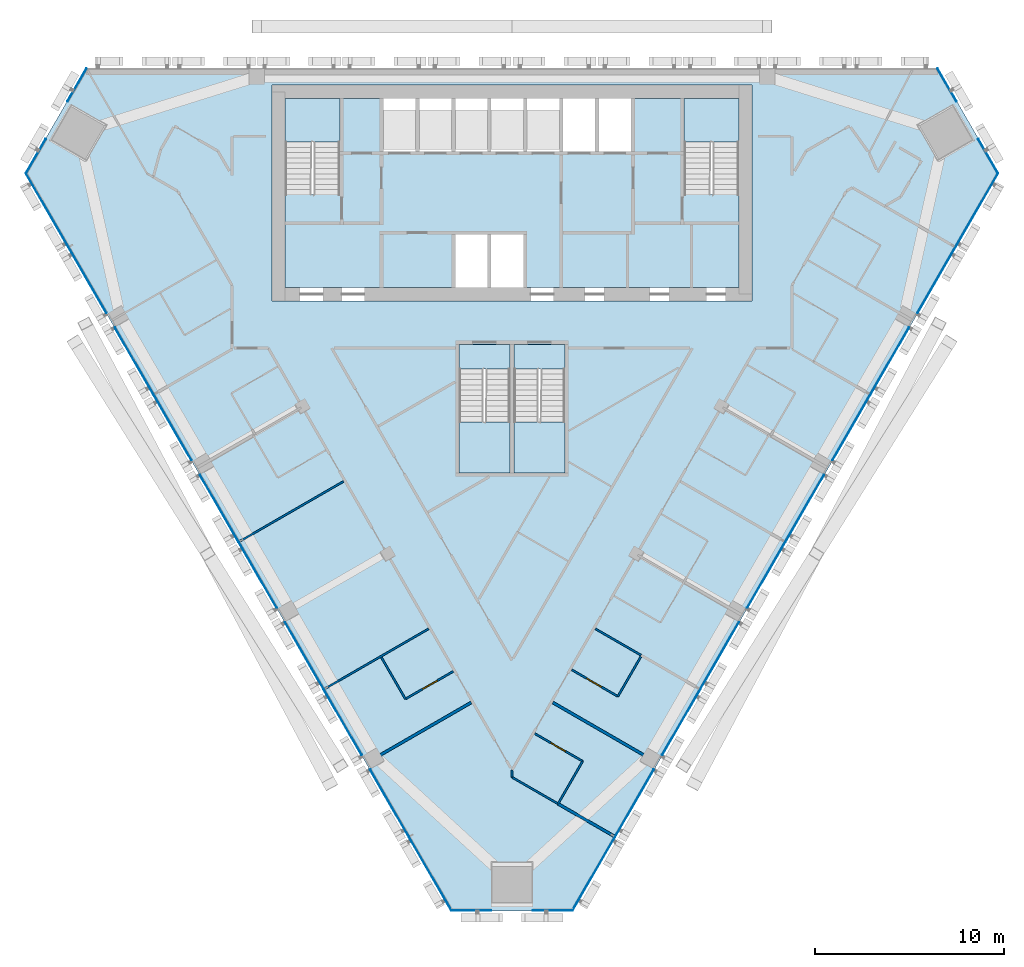
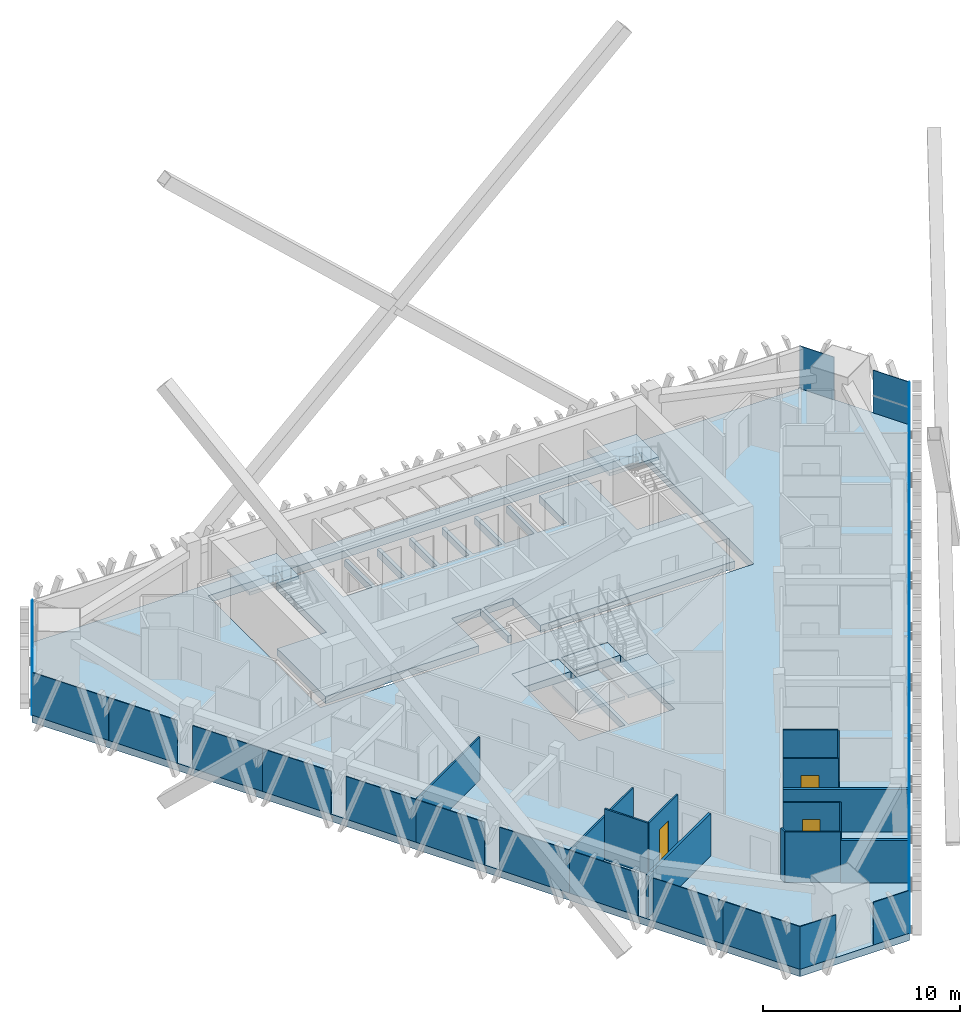
# One storey, part 9 of 17: 26 plates, 14 walls, 8 slabs, 3 doors, 3 openings, 9 elements without a shape of their own.
"""IFC4 building model written with IfcOpenShell, lengths in metres."""

from ifc_helpers import new_model, si_unit, direction, frame, frame_2d, origin, origin_2d, place, context, subcontext, project, spatial, polyline, rectangle, outline, extrude, material, layer, layer_set, type_object, element, fill, aggregate, save


model = new_model("IFC4")

# Units and contexts
model_context = context("Model", 3, precision=1e-05, world=origin(), true_north=direction((0.0, 1.0)))
body_context = subcontext(model_context, "Body", "Model", "MODEL_VIEW")
ifc_project = project(units=[si_unit("LENGTHUNIT", "METRE"), si_unit("AREAUNIT", "SQUARE_METRE"), si_unit("VOLUMEUNIT", "CUBIC_METRE"), si_unit("PLANEANGLEUNIT", "RADIAN"), si_unit("MASSUNIT", "GRAM", prefix="KILO")], contexts=[model_context])

# Site, building, storey
site_placement = place(None, origin())
site = spatial("IfcSite", under=ifc_project, at=site_placement, CompositionType="ELEMENT")
building_placement = place(site_placement, origin())
building = spatial("IfcBuilding", under=site, at=building_placement, Name="Altiplano Prism Tower", CompositionType="ELEMENT")
storey_placement = place(building_placement, frame((0.0, 0.0, 194.39990234375)))
storey = spatial("IfcBuildingStorey", under=building, at=storey_placement, Name="L50", CompositionType="ELEMENT", Elevation=194.39990234375)

# Curtain wall, plates
ifc_material_1 = material(Name="Aluminium and glass", Category="aluminium")
ifc_layer_1 = layer(ifc_material_1, 0.280029296875)
ifc_layer_set_1 = layer_set([ifc_layer_1], Name="Aluminium and glass")
curtain_wall_type = type_object("IfcCurtainWallType", Name="CW1 typical co-living unitised curtain wall", PredefinedType="NOTDEFINED", material=ifc_layer_set_1)
curtain_wall_1_placement = place(storey_placement, origin())
curtain_wall_1 = element("IfcCurtainWall", 1, at=curtain_wall_1_placement, inside=storey, type_object=curtain_wall_type, Name="CW1 curtain wall north-west chamfer L50", PredefinedType="NOTDEFINED")
ifc_material_2 = material(Name="Clear glass", Category="glass")
ifc_layer_2 = layer(ifc_material_2, 0.0400390625)
ifc_layer_set_2 = layer_set([ifc_layer_2], Name="Clear glass")
plate_type = type_object("IfcPlateType", Name="CW1 insulated glass unit 40", PredefinedType="CURTAIN_PANEL", material=ifc_layer_set_2)
plate_1_placement = place(storey_placement, frame((61.99658203125, 104.11083984375, 0.000244140625), z_axis=(0.0, 0.0, 1.0), x_axis=(-0.499999922777, -0.866025448369, 0.0)))
plate_1 = element("IfcPlate", 2, at=plate_1_placement, type_object=plate_type, Name="CW1 panel", PredefinedType="CURTAIN_PANEL", context=body_context, shape_type="SweptSolid", body=[
    extrude(rectangle(XDim=2.0205078125, YDim=0.0400390625, at=origin_2d()), origin(), (0.0, 0.0, 1.0), 2.64990234375),
])
plate_2_placement = place(storey_placement, frame((59.8212890625, 100.34326171875, 0.000244140625), z_axis=(0.0, 0.0, 1.0), x_axis=(-0.499999922777, -0.866025448369, 0.0)))
plate_2 = element("IfcPlate", 3, at=plate_2_placement, type_object=plate_type, Name="CW1 panel", PredefinedType="CURTAIN_PANEL", context=body_context, shape_type="SweptSolid", body=[
    extrude(rectangle(XDim=2.1005859375, YDim=0.0400390625, at=origin_2d()), origin(), (0.0, 0.0, 1.0), 2.64990234375),
])
aggregate(curtain_wall_1, [plate_1, plate_2])

curtain_wall_2_placement = place(storey_placement, origin())
curtain_wall_2 = element("IfcCurtainWall", 4, at=curtain_wall_2_placement, inside=storey, type_object=curtain_wall_type, Name="CW1 curtain wall south-west face L50", PredefinedType="NOTDEFINED")
plate_3_placement = place(storey_placement, frame((60.422119140625, 97.4951171875, 0.000244140625), z_axis=(0.0, 0.0, 1.0), x_axis=(0.499999988981, -0.866025410146, 0.0)))
plate_3 = element("IfcPlate", 5, at=plate_3_placement, type_object=plate_type, Name="CW1 panel", PredefinedType="CURTAIN_PANEL", context=body_context, shape_type="SweptSolid", body=[
    extrude(rectangle(XDim=4.503173828125, YDim=0.0400390625, at=origin_2d()), origin(), (0.0, 0.0, 1.0), 2.64990234375),
])
plate_4_placement = place(storey_placement, frame((62.555419921875, 93.800048828125, 0.000244140625), z_axis=(0.0, 0.0, 1.0), x_axis=(0.499999988981, -0.866025410146, 0.0)))
plate_4 = element("IfcPlate", 6, at=plate_4_placement, type_object=plate_type, Name="CW1 panel", PredefinedType="CURTAIN_PANEL", context=body_context, shape_type="SweptSolid", body=[
    extrude(rectangle(XDim=4.010498046875, YDim=0.0400390625, at=origin_2d()), origin(), (0.0, 0.0, 1.0), 2.64990234375),
])
plate_5_placement = place(storey_placement, frame((65.025390625, 89.52197265625, 0.000244140625), z_axis=(0.0, 0.0, 1.0), x_axis=(0.499999988981, -0.866025410146, 0.0)))
plate_5 = element("IfcPlate", 7, at=plate_5_placement, type_object=plate_type, Name="CW1 panel", PredefinedType="CURTAIN_PANEL", context=body_context, shape_type="SweptSolid", body=[
    extrude(rectangle(XDim=4.08984375, YDim=0.0400390625, at=origin_2d()), origin(), (0.0, 0.0, 1.0), 2.64990234375),
])
plate_6_placement = place(storey_placement, frame((67.055419921875, 86.005615234375, 0.000244140625), z_axis=(0.0, 0.0, 1.0), x_axis=(0.499999988981, -0.866025410146, 0.0)))
plate_6 = element("IfcPlate", 8, at=plate_6_placement, type_object=plate_type, Name="CW1 panel", PredefinedType="CURTAIN_PANEL", context=body_context, shape_type="SweptSolid", body=[
    extrude(rectangle(XDim=4.010498046875, YDim=0.0400390625, at=origin_2d()), origin(), (0.0, 0.0, 1.0), 2.64990234375),
])
plate_7_placement = place(storey_placement, frame((69.525390625, 81.727783203125, 0.000244140625), z_axis=(0.0, 0.0, 1.0), x_axis=(0.499999988981, -0.866025410146, 0.0)))
plate_7 = element("IfcPlate", 9, at=plate_7_placement, type_object=plate_type, Name="CW1 panel", PredefinedType="CURTAIN_PANEL", context=body_context, shape_type="SweptSolid", body=[
    extrude(rectangle(XDim=4.08984375, YDim=0.0400390625, at=origin_2d()), origin(), (0.0, 0.0, 1.0), 2.64990234375),
])
plate_8_placement = place(storey_placement, frame((71.555419921875, 78.21142578125, 0.000244140625), z_axis=(0.0, 0.0, 1.0), x_axis=(0.499999988981, -0.866025410146, 0.0)))
plate_8 = element("IfcPlate", 10, at=plate_8_placement, type_object=plate_type, Name="CW1 panel", PredefinedType="CURTAIN_PANEL", context=body_context, shape_type="SweptSolid", body=[
    extrude(rectangle(XDim=4.010498046875, YDim=0.0400390625, at=origin_2d()), origin(), (0.0, 0.0, 1.0), 2.64990234375),
])
plate_9_placement = place(storey_placement, frame((74.025390625, 73.93359375, 0.000244140625), z_axis=(0.0, 0.0, 1.0), x_axis=(0.499999988981, -0.866025410146, 0.0)))
plate_9 = element("IfcPlate", 11, at=plate_9_placement, type_object=plate_type, Name="CW1 panel", PredefinedType="CURTAIN_PANEL", context=body_context, shape_type="SweptSolid", body=[
    extrude(rectangle(XDim=4.08984375, YDim=0.0400390625, at=origin_2d()), origin(), (0.0, 0.0, 1.0), 2.64990234375),
])
plate_10_placement = place(storey_placement, frame((76.055419921875, 70.417236328125, 0.000244140625), z_axis=(0.0, 0.0, 1.0), x_axis=(0.499999988981, -0.866025410146, 0.0)))
plate_10 = element("IfcPlate", 12, at=plate_10_placement, type_object=plate_type, Name="CW1 panel", PredefinedType="CURTAIN_PANEL", context=body_context, shape_type="SweptSolid", body=[
    extrude(rectangle(XDim=4.010498046875, YDim=0.0400390625, at=origin_2d()), origin(), (0.0, 0.0, 1.0), 2.64990234375),
])
plate_11_placement = place(storey_placement, frame((78.525390625, 66.13916015625, 0.000244140625), z_axis=(0.0, 0.0, 1.0), x_axis=(0.499999988981, -0.866025410146, 0.0)))
plate_11 = element("IfcPlate", 13, at=plate_11_placement, type_object=plate_type, Name="CW1 panel", PredefinedType="CURTAIN_PANEL", context=body_context, shape_type="SweptSolid", body=[
    extrude(rectangle(XDim=4.08984375, YDim=0.0400390625, at=origin_2d()), origin(), (0.0, 0.0, 1.0), 2.64990234375),
])
plate_12_placement = place(storey_placement, frame((80.6787109375, 62.40966796875, 0.000244140625), z_axis=(0.0, 0.0, 1.0), x_axis=(0.499999988981, -0.866025410146, 0.0)))
plate_12 = element("IfcPlate", 14, at=plate_12_placement, type_object=plate_type, Name="CW1 panel", PredefinedType="CURTAIN_PANEL", context=body_context, shape_type="SweptSolid", body=[
    extrude(rectangle(XDim=4.503173828125, YDim=0.0400390625, at=origin_2d()), origin(), (0.0, 0.0, 1.0), 2.64990234375),
])
aggregate(curtain_wall_2, [plate_3, plate_4, plate_5, plate_6, plate_7, plate_8, plate_9, plate_10, plate_11, plate_12])

curtain_wall_3_placement = place(storey_placement, origin())
curtain_wall_3 = element("IfcCurtainWall", 15, at=curtain_wall_3_placement, inside=storey, type_object=curtain_wall_type, Name="CW1 curtain wall south chamfer L50", PredefinedType="NOTDEFINED")
plate_13_placement = place(storey_placement, frame((82.8447265625, 60.46533203125, 0.000244140625), z_axis=(0.0, 0.0, 1.0), x_axis=(1.0, 0.0, 0.0)))
plate_13 = element("IfcPlate", 16, at=plate_13_placement, type_object=plate_type, Name="CW1 panel", PredefinedType="CURTAIN_PANEL", context=body_context, shape_type="SweptSolid", body=[
    extrude(rectangle(XDim=2.100341796875, YDim=0.0400390625, at=origin_2d()), origin(), (0.0, 0.0, 1.0), 2.64990234375),
])
plate_14_placement = place(storey_placement, frame((87.1552734375, 60.46533203125, 0.000244140625), z_axis=(0.0, 0.0, 1.0), x_axis=(1.0, 0.0, 0.0)))
plate_14 = element("IfcPlate", 17, at=plate_14_placement, type_object=plate_type, Name="CW1 panel", PredefinedType="CURTAIN_PANEL", context=body_context, shape_type="SweptSolid", body=[
    extrude(rectangle(XDim=2.100341796875, YDim=0.0400390625, at=origin_2d()), origin(), (0.0, 0.0, 1.0), 2.64990234375),
])
aggregate(curtain_wall_3, [plate_13, plate_14])

curtain_wall_4_placement = place(storey_placement, origin())
curtain_wall_4 = element("IfcCurtainWall", 18, at=curtain_wall_4_placement, inside=storey, type_object=curtain_wall_type, Name="CW1 curtain wall south-east face L50", PredefinedType="NOTDEFINED")
plate_15_placement = place(storey_placement, frame((89.3212890625, 62.40966796875, 0.000244140625), z_axis=(0.0, 0.0, 1.0), x_axis=(0.499999988981, 0.866025410146, 0.0)))
plate_15 = element("IfcPlate", 19, at=plate_15_placement, type_object=plate_type, Name="CW1 panel", PredefinedType="CURTAIN_PANEL", context=body_context, shape_type="SweptSolid", body=[
    extrude(rectangle(XDim=4.503173828125, YDim=0.0400390625, at=origin_2d()), origin(), (0.0, 0.0, 1.0), 2.64990234375),
])
plate_16_placement = place(storey_placement, frame((91.474609375, 66.13916015625, 0.000244140625), z_axis=(0.0, 0.0, 1.0), x_axis=(0.499999988981, 0.866025410146, 0.0)))
plate_16 = element("IfcPlate", 20, at=plate_16_placement, type_object=plate_type, Name="CW1 panel", PredefinedType="CURTAIN_PANEL", context=body_context, shape_type="SweptSolid", body=[
    extrude(rectangle(XDim=4.08984375, YDim=0.0400390625, at=origin_2d()), origin(), (0.0, 0.0, 1.0), 2.64990234375),
])
plate_17_placement = place(storey_placement, frame((93.944580078125, 70.417236328125, 0.000244140625), z_axis=(0.0, 0.0, 1.0), x_axis=(0.499999988981, 0.866025410146, 0.0)))
plate_17 = element("IfcPlate", 21, at=plate_17_placement, type_object=plate_type, Name="CW1 panel", PredefinedType="CURTAIN_PANEL", context=body_context, shape_type="SweptSolid", body=[
    extrude(rectangle(XDim=4.010498046875, YDim=0.0400390625, at=origin_2d()), origin(), (0.0, 0.0, 1.0), 2.64990234375),
])
plate_18_placement = place(storey_placement, frame((95.974609375, 73.93359375, 0.000244140625), z_axis=(0.0, 0.0, 1.0), x_axis=(0.499999988981, 0.866025410146, 0.0)))
plate_18 = element("IfcPlate", 22, at=plate_18_placement, type_object=plate_type, Name="CW1 panel", PredefinedType="CURTAIN_PANEL", context=body_context, shape_type="SweptSolid", body=[
    extrude(rectangle(XDim=4.08984375, YDim=0.0400390625, at=origin_2d()), origin(), (0.0, 0.0, 1.0), 2.64990234375),
])
plate_19_placement = place(storey_placement, frame((98.444580078125, 78.21142578125, 0.000244140625), z_axis=(0.0, 0.0, 1.0), x_axis=(0.499999988981, 0.866025410146, 0.0)))
plate_19 = element("IfcPlate", 23, at=plate_19_placement, type_object=plate_type, Name="CW1 panel", PredefinedType="CURTAIN_PANEL", context=body_context, shape_type="SweptSolid", body=[
    extrude(rectangle(XDim=4.010498046875, YDim=0.0400390625, at=origin_2d()), origin(), (0.0, 0.0, 1.0), 2.64990234375),
])
plate_20_placement = place(storey_placement, frame((100.474609375, 81.727783203125, 0.000244140625), z_axis=(0.0, 0.0, 1.0), x_axis=(0.499999988981, 0.866025410146, 0.0)))
plate_20 = element("IfcPlate", 24, at=plate_20_placement, type_object=plate_type, Name="CW1 panel", PredefinedType="CURTAIN_PANEL", context=body_context, shape_type="SweptSolid", body=[
    extrude(rectangle(XDim=4.08984375, YDim=0.0400390625, at=origin_2d()), origin(), (0.0, 0.0, 1.0), 2.64990234375),
])
plate_21_placement = place(storey_placement, frame((102.944580078125, 86.005615234375, 0.000244140625), z_axis=(0.0, 0.0, 1.0), x_axis=(0.499999988981, 0.866025410146, 0.0)))
plate_21 = element("IfcPlate", 25, at=plate_21_placement, type_object=plate_type, Name="CW1 panel", PredefinedType="CURTAIN_PANEL", context=body_context, shape_type="SweptSolid", body=[
    extrude(rectangle(XDim=4.010498046875, YDim=0.0400390625, at=origin_2d()), origin(), (0.0, 0.0, 1.0), 2.64990234375),
])
plate_22_placement = place(storey_placement, frame((104.974609375, 89.52197265625, 0.000244140625), z_axis=(0.0, 0.0, 1.0), x_axis=(0.499999988981, 0.866025410146, 0.0)))
plate_22 = element("IfcPlate", 26, at=plate_22_placement, type_object=plate_type, Name="CW1 panel", PredefinedType="CURTAIN_PANEL", context=body_context, shape_type="SweptSolid", body=[
    extrude(rectangle(XDim=4.08984375, YDim=0.0400390625, at=origin_2d()), origin(), (0.0, 0.0, 1.0), 2.64990234375),
])
plate_23_placement = place(storey_placement, frame((107.444580078125, 93.800048828125, 0.000244140625), z_axis=(0.0, 0.0, 1.0), x_axis=(0.499999988981, 0.866025410146, 0.0)))
plate_23 = element("IfcPlate", 27, at=plate_23_placement, type_object=plate_type, Name="CW1 panel", PredefinedType="CURTAIN_PANEL", context=body_context, shape_type="SweptSolid", body=[
    extrude(rectangle(XDim=4.010498046875, YDim=0.0400390625, at=origin_2d()), origin(), (0.0, 0.0, 1.0), 2.64990234375),
])
plate_24_placement = place(storey_placement, frame((109.577880859375, 97.4951171875, 0.000244140625), z_axis=(0.0, 0.0, 1.0), x_axis=(0.499999988981, 0.866025410146, 0.0)))
plate_24 = element("IfcPlate", 28, at=plate_24_placement, type_object=plate_type, Name="CW1 panel", PredefinedType="CURTAIN_PANEL", context=body_context, shape_type="SweptSolid", body=[
    extrude(rectangle(XDim=4.503173828125, YDim=0.0400390625, at=origin_2d()), origin(), (0.0, 0.0, 1.0), 2.64990234375),
])
aggregate(curtain_wall_4, [plate_15, plate_16, plate_17, plate_18, plate_19, plate_20, plate_21, plate_22, plate_23, plate_24])

curtain_wall_5_placement = place(storey_placement, origin())
curtain_wall_5 = element("IfcCurtainWall", 29, at=curtain_wall_5_placement, inside=storey, type_object=curtain_wall_type, Name="CW1 curtain wall north-east chamfer L50", PredefinedType="NOTDEFINED")
plate_25_placement = place(storey_placement, frame((110.1787109375, 100.34326171875, 0.000244140625), z_axis=(0.0, 0.0, 1.0), x_axis=(-0.499999922777, 0.866025448369, 0.0)))
plate_25 = element("IfcPlate", 30, at=plate_25_placement, type_object=plate_type, Name="CW1 panel", PredefinedType="CURTAIN_PANEL", context=body_context, shape_type="SweptSolid", body=[
    extrude(rectangle(XDim=2.1005859375, YDim=0.0400390625, at=origin_2d()), origin(), (0.0, 0.0, 1.0), 2.64990234375),
])
plate_26_placement = place(storey_placement, frame((108.00341796875, 104.11083984375, 0.000244140625), z_axis=(0.0, 0.0, 1.0), x_axis=(-0.499999922777, 0.866025448369, 0.0)))
plate_26 = element("IfcPlate", 31, at=plate_26_placement, type_object=plate_type, Name="CW1 panel", PredefinedType="CURTAIN_PANEL", context=body_context, shape_type="SweptSolid", body=[
    extrude(rectangle(XDim=2.0205078125, YDim=0.0400390625, at=origin_2d()), origin(), (0.0, 0.0, 1.0), 2.64990234375),
])
aggregate(curtain_wall_5, [plate_25, plate_26])

# Slabs
ifc_material_3 = material(Name="Concrete C40/50", Category="concrete")
ifc_layer_3 = layer(ifc_material_3, 0.449951171875)
ifc_layer_set_3 = layer_set([ifc_layer_3], Name="Concrete C40/50")
slab_type_1 = type_object("IfcSlabType", Name="Core floor slab 450", PredefinedType="FLOOR", material=ifc_layer_set_3)
slab_1_placement = place(storey_placement, frame((0.0, 0.0, -0.449951171875)))
element("IfcSlab", 32, at=slab_1_placement, inside=storey, type_object=slab_type_1, Name="Core floor slab L50", PredefinedType="FLOOR", context=body_context, shape_type="SweptSolid", body=[
    extrude(outline(polyline([(97.0, 98.31005859375), (94.10009765625, 98.31005859375), (94.10009765625, 103.39990234375), (91.300048828125, 103.39990234375), (91.300048828125, 100.60009765625), (89.60009765625, 100.60009765625), (89.60009765625, 103.39990234375), (89.39990234375, 103.39990234375), (89.39990234375, 100.60009765625), (87.699951171875, 100.60009765625), (87.699951171875, 103.39990234375), (87.5, 103.39990234375), (87.5, 100.60009765625), (85.800048828125, 100.60009765625), (85.800048828125, 103.39990234375), (85.60009765625, 103.39990234375), (85.60009765625, 100.60009765625), (83.89990234375, 100.60009765625), (83.89990234375, 103.39990234375), (83.699951171875, 103.39990234375), (83.699951171875, 100.60009765625), (82.0, 100.60009765625), (82.0, 103.39990234375), (81.800048828125, 103.39990234375), (81.800048828125, 100.60009765625), (80.10009765625, 100.60009765625), (80.10009765625, 103.39990234375), (79.89990234375, 103.39990234375), (79.89990234375, 100.60009765625), (78.199951171875, 100.60009765625), (78.199951171875, 103.39990234375), (75.89990234375, 103.39990234375), (75.89990234375, 98.31005859375), (73.0, 98.31005859375), (73.0, 93.39990234375), (82.0, 93.39990234375), (82.0, 96.199951171875), (83.699951171875, 96.199951171875), (83.699951171875, 93.39990234375), (83.89990234375, 93.39990234375), (83.89990234375, 96.199951171875), (85.60009765625, 96.199951171875), (85.60009765625, 93.39990234375), (97.0, 93.39990234375), (97.0, 98.31005859375)])), origin(), (0.0, 0.0, 1.0), 0.449951171875),
])
slab_2_placement = place(storey_placement, frame((0.0, 0.0, -0.449951171875)))
element("IfcSlab", 33, at=slab_2_placement, inside=storey, type_object=slab_type_1, Name="Stair 3A landing slab L50", PredefinedType="FLOOR", context=body_context, shape_type="SweptSolid", body=[
    extrude(outline(polyline([(82.199951171875, 89.096923828125), (84.89990234375, 89.096923828125), (84.89990234375, 90.39990234375), (82.199951171875, 90.39990234375), (82.199951171875, 89.096923828125)])), origin(), (0.0, 0.0, 1.0), 0.449951171875),
])
slab_3_placement = place(storey_placement, frame((0.0, 0.0, -0.449951171875)))
element("IfcSlab", 34, at=slab_3_placement, inside=storey, type_object=slab_type_1, Name="Stair 3B landing slab L50", PredefinedType="FLOOR", context=body_context, shape_type="SweptSolid", body=[
    extrude(outline(polyline([(85.10009765625, 89.096923828125), (87.800048828125, 89.096923828125), (87.800048828125, 90.39990234375), (85.10009765625, 90.39990234375), (85.10009765625, 89.096923828125)])), origin(), (0.0, 0.0, 1.0), 0.449951171875),
])
ifc_layer_4 = layer(ifc_material_3, 0.449951171875)
ifc_layer_set_4 = layer_set([ifc_layer_4], Name="Concrete C40/50")
slab_type_2 = type_object("IfcSlabType", Name="Post-tensioned flat slab 450", PredefinedType="FLOOR", material=ifc_layer_set_4)
slab_4_placement = place(storey_placement, frame((0.0, 0.0, -0.449951171875)))
element("IfcSlab", 35, at=slab_4_placement, inside=storey, type_object=slab_type_2, Name="Floor slab L50", PredefinedType="FLOOR", context=body_context, shape_type="SweptSolid", body=[
    extrude(outline(polyline([(81.78955078125, 60.445556640625), (59.2763671875, 99.439453125), (62.48681640625, 105.0), (107.51318359375, 105.0), (110.7236328125, 99.439453125), (88.21044921875, 60.445556640625), (81.78955078125, 60.445556640625)]), holes=[polyline([(72.300048828125, 104.10009765625), (72.300048828125, 92.699951171875), (97.699951171875, 92.699951171875), (97.699951171875, 104.10009765625), (72.300048828125, 104.10009765625)]), polyline([(84.89990234375, 90.39990234375), (82.199951171875, 90.39990234375), (82.199951171875, 83.60009765625), (84.89990234375, 83.60009765625), (84.89990234375, 90.39990234375)]), polyline([(87.800048828125, 83.60009765625), (87.800048828125, 90.39990234375), (85.10009765625, 90.39990234375), (85.10009765625, 83.60009765625), (87.800048828125, 83.60009765625)])]), origin(), (0.0, 0.0, 1.0), 0.449951171875),
])

# Stair, slab
stair_type_1 = type_object("IfcStairType", Name="Exit stair 1400", PredefinedType="HALF_TURN_STAIR", material=ifc_material_3)
stair_1_placement = place(storey_placement, origin())
stair_1 = element("IfcStair", 36, at=stair_1_placement, inside=storey, type_object=stair_type_1, Name="L50 Exit Stair 1", PredefinedType="HALF_TURN_STAIR")
ifc_layer_5 = layer(ifc_material_3, 0.199951171875)
ifc_layer_set_5 = layer_set([ifc_layer_5], Name="Concrete C40/50")
slab_type_3 = type_object("IfcSlabType", Name="Stair landing 200", PredefinedType="LANDING", material=ifc_layer_set_5)
slab_5_placement = place(storey_placement, frame((0.0, 0.0, 1.60009765625)))
slab_5 = element("IfcSlab", 37, at=slab_5_placement, type_object=slab_type_3, Name="ST1 landing 1", PredefinedType="LANDING", context=body_context, shape_type="SweptSolid", body=[
    extrude(outline(polyline([(75.89990234375, 101.096923828125), (75.89990234375, 103.39990234375), (73.0, 103.39990234375), (73.0, 101.096923828125), (75.89990234375, 101.096923828125)])), origin(), (0.0, 0.0, 1.0), 0.199951171875),
])
aggregate(stair_1, [slab_5])

stair_2_placement = place(storey_placement, origin())
stair_2 = element("IfcStair", 38, at=stair_2_placement, inside=storey, type_object=stair_type_1, Name="L50 Exit Stair 2", PredefinedType="HALF_TURN_STAIR")
slab_6_placement = place(storey_placement, frame((0.0, 0.0, 1.60009765625)))
slab_6 = element("IfcSlab", 39, at=slab_6_placement, type_object=slab_type_3, Name="ST2 landing 1", PredefinedType="LANDING", context=body_context, shape_type="SweptSolid", body=[
    extrude(outline(polyline([(97.0, 101.096923828125), (97.0, 103.39990234375), (94.10009765625, 103.39990234375), (94.10009765625, 101.096923828125), (97.0, 101.096923828125)])), origin(), (0.0, 0.0, 1.0), 0.199951171875),
])
aggregate(stair_2, [slab_6])

stair_type_2 = type_object("IfcStairType", Name="Exit stair 1300", PredefinedType="HALF_TURN_STAIR", material=ifc_material_3)
stair_3_placement = place(storey_placement, origin())
stair_3 = element("IfcStair", 40, at=stair_3_placement, inside=storey, type_object=stair_type_2, Name="L50 Exit Stair 3A", PredefinedType="HALF_TURN_STAIR")
slab_7_placement = place(storey_placement, frame((0.0, 0.0, 1.60009765625)))
slab_7 = element("IfcSlab", 41, at=slab_7_placement, type_object=slab_type_3, Name="ST3A landing 1", PredefinedType="LANDING", context=body_context, shape_type="SweptSolid", body=[
    extrude(outline(polyline([(82.199951171875, 86.302978515625), (82.199951171875, 83.60009765625), (84.89990234375, 83.60009765625), (84.89990234375, 86.302978515625), (82.199951171875, 86.302978515625)])), origin(), (0.0, 0.0, 1.0), 0.199951171875),
])
aggregate(stair_3, [slab_7])

stair_4_placement = place(storey_placement, origin())
stair_4 = element("IfcStair", 42, at=stair_4_placement, inside=storey, type_object=stair_type_2, Name="L50 Exit Stair 3B", PredefinedType="HALF_TURN_STAIR")
slab_8_placement = place(storey_placement, frame((0.0, 0.0, 1.60009765625)))
slab_8 = element("IfcSlab", 43, at=slab_8_placement, type_object=slab_type_3, Name="ST3B landing 1", PredefinedType="LANDING", context=body_context, shape_type="SweptSolid", body=[
    extrude(outline(polyline([(85.10009765625, 86.302978515625), (85.10009765625, 83.60009765625), (87.800048828125, 83.60009765625), (87.800048828125, 86.302978515625), (85.10009765625, 86.302978515625)])), origin(), (0.0, 0.0, 1.0), 0.199951171875),
])
aggregate(stair_4, [slab_8])

# Wall, opening, door
ifc_material_4 = material(Name="Plasterboard on steel stud", Category="steel")
ifc_layer_6 = layer(ifc_material_4, 0.10009765625)
ifc_layer_set_6 = layer_set([ifc_layer_6], Name="Plasterboard on steel stud")
wall_type_1 = type_object("IfcWallType", Name="Partition 100 unit", PredefinedType="PARTITIONING", material=ifc_layer_set_6)
wall_1_placement = place(storey_placement, frame((81.897216796875, 73.10888671875, 0.0), z_axis=(0.0, 0.0, 1.0), x_axis=(-0.866046596414, -0.499963291492, 0.0)))
wall_1 = element("IfcWall", 44, at=wall_1_placement, inside=storey, type_object=wall_type_1, Name="Partition P02 L50 052", PredefinedType="PARTITIONING", context=body_context, shape_type="SweptSolid", body=[
    extrude(rectangle(XDim=2.925048828125, YDim=0.10009765625, at=frame_2d((1.46240234375, 0.0))), origin(), (0.0, 0.0, 1.0), 3.150146484375),
])
opening_1_placement = place(wall_1_placement, frame((0.97509765625, 0.0, 0.0)))
opening_1 = element("IfcOpeningElement", 45, at=opening_1_placement, cuts=wall_1, Name="Opening D1750", PredefinedType="OPENING", context=body_context, shape_type="SweptSolid", body=[
    extrude(rectangle(XDim=0.89990234375, YDim=2.10009765625, at=frame_2d((0.449951171875, 1.050048828125))), frame((0.0, 0.060546875, 0.0), z_axis=(0.0, -1.0, 0.0), x_axis=(1.0, 0.0, 0.0)), (0.0, 0.0, 1.0), 0.12109375),
])
ifc_material_5 = material(Name="Timber", Category="wood")
door_type = type_object("IfcDoorType", Name="Ensuite door 900 x 2100", OperationType="NOTDEFINED", PredefinedType="NOTDEFINED", material=ifc_material_5)
door_1_placement = place(opening_1_placement, origin())
door_1 = element("IfcDoor", 46, at=door_1_placement, inside=storey, type_object=door_type, Name="Door D1750", OperationType="SINGLE_SWING_LEFT", OverallHeight=2.10009765625, OverallWidth=0.89990234375, PredefinedType="NOTDEFINED", context=body_context, shape_type="SweptSolid", body=[
    extrude(rectangle(XDim=0.89990234375, YDim=2.10009765625, at=frame_2d((0.449951171875, 1.050048828125))), frame((0.0, 0.02490234375, 0.0), z_axis=(0.0, -1.0, 0.0), x_axis=(1.0, 0.0, 0.0)), (0.0, 0.0, 1.0), 0.050048828125),
])
fill(opening_1, door_1)

# Wall
wall_2_placement = place(storey_placement, frame((79.364013671875, 71.646484375, 0.0), z_axis=(0.0, 0.0, 1.0), x_axis=(-0.499948979701, 0.866054858364, 0.0)))
element("IfcWall", 47, at=wall_2_placement, inside=storey, type_object=wall_type_1, Name="Partition P02 L50 053", PredefinedType="PARTITIONING", context=body_context, shape_type="SweptSolid", body=[
    extrude(rectangle(XDim=2.550048828125, YDim=0.10009765625, at=frame_2d((1.27490234375, 0.0))), origin(), (0.0, 0.0, 1.0), 3.150146484375),
])

# Wall, opening, door
wall_3_placement = place(storey_placement, frame((86.202880859375, 69.818115234375, 0.0), z_axis=(0.0, 0.0, 1.0), x_axis=(0.866025730634, -0.499999433879, 0.0)))
wall_3 = element("IfcWall", 48, at=wall_3_placement, inside=storey, type_object=wall_type_1, Name="Partition P02 L50 058", PredefinedType="PARTITIONING", context=body_context, shape_type="SweptSolid", body=[
    extrude(rectangle(XDim=2.9248046875, YDim=0.10009765625, at=frame_2d((1.46240234375, 0.0))), origin(), (0.0, 0.0, 1.0), 3.150146484375),
])
opening_2_placement = place(wall_3_placement, frame((0.98095703125, 0.0, 0.0)))
opening_2 = element("IfcOpeningElement", 49, at=opening_2_placement, cuts=wall_3, Name="Opening D1753", PredefinedType="OPENING", context=body_context, shape_type="SweptSolid", body=[
    extrude(rectangle(XDim=0.89990234375, YDim=2.10009765625, at=frame_2d((0.449951171875, 1.050048828125))), frame((0.0, 0.060546875, 0.0), z_axis=(0.0, -1.0, 0.0), x_axis=(1.0, 0.0, 0.0)), (0.0, 0.0, 1.0), 0.12109375),
])
door_2_placement = place(opening_2_placement, origin())
door_2 = element("IfcDoor", 50, at=door_2_placement, inside=storey, type_object=door_type, Name="Door D1753", OperationType="SINGLE_SWING_LEFT", OverallHeight=2.10009765625, OverallWidth=0.89990234375, PredefinedType="NOTDEFINED", context=body_context, shape_type="SweptSolid", body=[
    extrude(rectangle(XDim=0.89990234375, YDim=2.10009765625, at=frame_2d((0.449951171875, 1.050048828125))), frame((0.0, 0.02490234375, 0.0), z_axis=(0.0, -1.0, 0.0), x_axis=(1.0, 0.0, 0.0)), (0.0, 0.0, 1.0), 0.050048828125),
])
fill(opening_2, door_2)

# Walls
wall_4_placement = place(storey_placement, frame((88.73583984375, 68.355712890625, 0.0), z_axis=(0.0, 0.0, 1.0), x_axis=(-0.499936506574, -0.866062058628, 0.0)))
element("IfcWall", 51, at=wall_4_placement, inside=storey, type_object=wall_type_1, Name="Partition P02 L50 059", PredefinedType="PARTITIONING", context=body_context, shape_type="SweptSolid", body=[
    extrude(rectangle(XDim=2.599853515625, YDim=0.10009765625, at=frame_2d((1.2998046875, 0.0))), origin(), (0.0, 0.0, 1.0), 3.150146484375),
])
wall_5_placement = place(storey_placement, frame((91.811767578125, 73.88330078125, 0.0), z_axis=(0.0, 0.0, 1.0), x_axis=(-0.499972286653, -0.866041403502, 0.0)))
element("IfcWall", 52, at=wall_5_placement, inside=storey, type_object=wall_type_1, Name="Partition P02 L50 061", PredefinedType="PARTITIONING", context=body_context, shape_type="SweptSolid", body=[
    extrude(rectangle(XDim=2.425048828125, YDim=0.10009765625, at=frame_2d((1.21240234375, 0.0))), origin(), (0.0, 0.0, 1.0), 3.150146484375),
])

# Wall, opening, door
wall_6_placement = place(storey_placement, frame((90.599365234375, 71.783203125, 0.0), z_axis=(0.0, 0.0, 1.0), x_axis=(-0.866048868473, 0.499959355765, 0.0)))
wall_6 = element("IfcWall", 53, at=wall_6_placement, inside=storey, type_object=wall_type_1, Name="Partition P02 L50 062", PredefinedType="PARTITIONING", context=body_context, shape_type="SweptSolid", body=[
    extrude(rectangle(XDim=2.824951171875, YDim=0.10009765625, at=frame_2d((1.41259765625, 0.0))), origin(), (0.0, 0.0, 1.0), 3.150146484375),
])
opening_3_placement = place(wall_6_placement, frame((1.0, 0.0, 0.0)))
opening_3 = element("IfcOpeningElement", 54, at=opening_3_placement, cuts=wall_6, Name="Opening D1755", PredefinedType="OPENING", context=body_context, shape_type="SweptSolid", body=[
    extrude(rectangle(XDim=0.89990234375, YDim=2.10009765625, at=frame_2d((0.449951171875, 1.050048828125))), frame((0.0, 0.060546875, 0.0), z_axis=(0.0, -1.0, 0.0), x_axis=(1.0, 0.0, 0.0)), (0.0, 0.0, 1.0), 0.12109375),
])
door_3_placement = place(opening_3_placement, origin())
door_3 = element("IfcDoor", 55, at=door_3_placement, inside=storey, type_object=door_type, Name="Door D1755", OperationType="SINGLE_SWING_LEFT", OverallHeight=2.10009765625, OverallWidth=0.89990234375, PredefinedType="NOTDEFINED", context=body_context, shape_type="SweptSolid", body=[
    extrude(rectangle(XDim=0.89990234375, YDim=2.10009765625, at=frame_2d((0.449951171875, 1.050048828125))), frame((0.0, 0.02490234375, 0.0), z_axis=(0.0, -1.0, 0.0), x_axis=(1.0, 0.0, 0.0)), (0.0, 0.0, 1.0), 0.050048828125),
])
fill(opening_3, door_3)

# Walls
ifc_layer_7 = layer(ifc_material_4, 0.10009765625)
ifc_layer_set_7 = layer_set([ifc_layer_7], Name="Plasterboard on steel stud")
wall_type_2 = type_object("IfcWallType", Name="Partition 100 wet", PredefinedType="PARTITIONING", material=ifc_layer_set_7)
for number, where, z_axis, x_axis, name in (
    (56, (70.60205078125, 79.982177734375, 0.0), (0.0, 0.0, 1.0), (0.866025401434, 0.500000004071, 0.0), "Partition P03 L50 050"),
    (57, (75.10205078125, 72.18798828125, 0.0), (0.0, 0.0, 1.0), (0.866025401434, 0.500000004071, 0.0), "Partition P03 L50 051"),
):
    element("IfcWall", number, at=place(storey_placement, frame(where, z_axis=z_axis, x_axis=x_axis)), inside=storey, type_object=wall_type_2, Name=name, PredefinedType="PARTITIONING", context=body_context, shape_type="SweptSolid", body=[
        extrude(rectangle(XDim=6.34521484375, YDim=0.10009765625, at=frame_2d((3.172607421875, 0.0))), origin(), (0.0, 0.0, 1.0), 2.650146484375),
    ])
wall_7_placement = place(storey_placement, frame((87.43603515625, 66.10400390625, 0.0), z_axis=(0.0, 0.0, 1.0), x_axis=(-0.866055506462, 0.499947857008, 0.0)))
element("IfcWall", 58, at=wall_7_placement, inside=storey, type_object=wall_type_2, Name="Partition P03 L50 056", PredefinedType="PARTITIONING", context=body_context, shape_type="SweptSolid", body=[
    extrude(rectangle(XDim=2.812744140625, YDim=0.10009765625, at=frame_2d((1.40625, 0.0))), origin(), (0.0, 0.0, 1.0), 3.150146484375),
])
wall_8_placement = place(storey_placement, frame((85.0, 67.51025390625, 0.0), z_axis=(0.0, 0.0, 1.0), x_axis=(0.0, 1.0, 0.0)))
element("IfcWall", 59, at=wall_8_placement, inside=storey, type_object=wall_type_2, Name="Partition P03 L50 057", PredefinedType="PARTITIONING", context=body_context, shape_type="SweptSolid", body=[
    extrude(rectangle(XDim=0.37451171875, YDim=0.10009765625, at=frame_2d((0.187255859375, 0.0))), origin(), (0.0, 0.0, 1.0), 3.150146484375),
])
wall_9_placement = place(storey_placement, frame((91.83203125, 73.958251953125, 0.0), z_axis=(0.0, 0.0, 1.0), x_axis=(-0.866049342339, 0.499958534914, 0.0)))
element("IfcWall", 60, at=wall_9_placement, inside=storey, type_object=wall_type_2, Name="Partition P03 L50 064", PredefinedType="PARTITIONING", context=body_context, shape_type="SweptSolid", body=[
    extrude(rectangle(XDim=2.804931640625, YDim=0.10009765625, at=frame_2d((1.40234375, 0.0))), origin(), (0.0, 0.0, 1.0), 3.150146484375),
])
ifc_layer_8 = layer(ifc_material_4, 0.14990234375)
ifc_layer_set_8 = layer_set([ifc_layer_8], Name="Plasterboard on steel stud")
wall_type_3 = type_object("IfcWallType", Name="Partition 150 party", PredefinedType="PARTITIONING", material=ifc_layer_set_8)
wall_10_placement = place(storey_placement, frame((77.36962890625, 68.301025390625, 0.0), z_axis=(0.0, 0.0, 1.0), x_axis=(0.866015887322, 0.500016482634, 0.0)))
element("IfcWall", 61, at=wall_10_placement, inside=storey, type_object=wall_type_3, Name="Partition P01 L50 054", PredefinedType="PARTITIONING", context=body_context, shape_type="SweptSolid", body=[
    extrude(rectangle(XDim=6.324951171875, YDim=0.14990234375, at=frame_2d((3.16259765625, 0.0))), origin(), (0.0, 0.0, 1.0), 2.650146484375),
])
wall_11_placement = place(storey_placement, frame((90.39794921875, 64.393798828125, 0.0), z_axis=(0.0, 0.0, 1.0), x_axis=(-0.866007273829, 0.50003140069, 0.0)))
element("IfcWall", 62, at=wall_11_placement, inside=storey, type_object=wall_type_3, Name="Partition P01 L50 055", PredefinedType="PARTITIONING", context=body_context, shape_type="SweptSolid", body=[
    extrude(rectangle(XDim=3.420166015625, YDim=0.14990234375, at=frame_2d((1.7099609375, 0.0))), origin(), (0.0, 0.0, 1.0), 2.650146484375),
])
wall_12_placement = place(storey_placement, frame((92.63037109375, 68.301025390625, 0.0), z_axis=(0.0, 0.0, 1.0), x_axis=(-0.866015887322, 0.500016482634, 0.0)))
element("IfcWall", 63, at=wall_12_placement, inside=storey, type_object=wall_type_3, Name="Partition P01 L50 060", PredefinedType="PARTITIONING", context=body_context, shape_type="SweptSolid", body=[
    extrude(rectangle(XDim=6.324951171875, YDim=0.14990234375, at=frame_2d((3.16259765625, 0.0))), origin(), (0.0, 0.0, 1.0), 2.650146484375),
])

save(model, "model.ifc")
